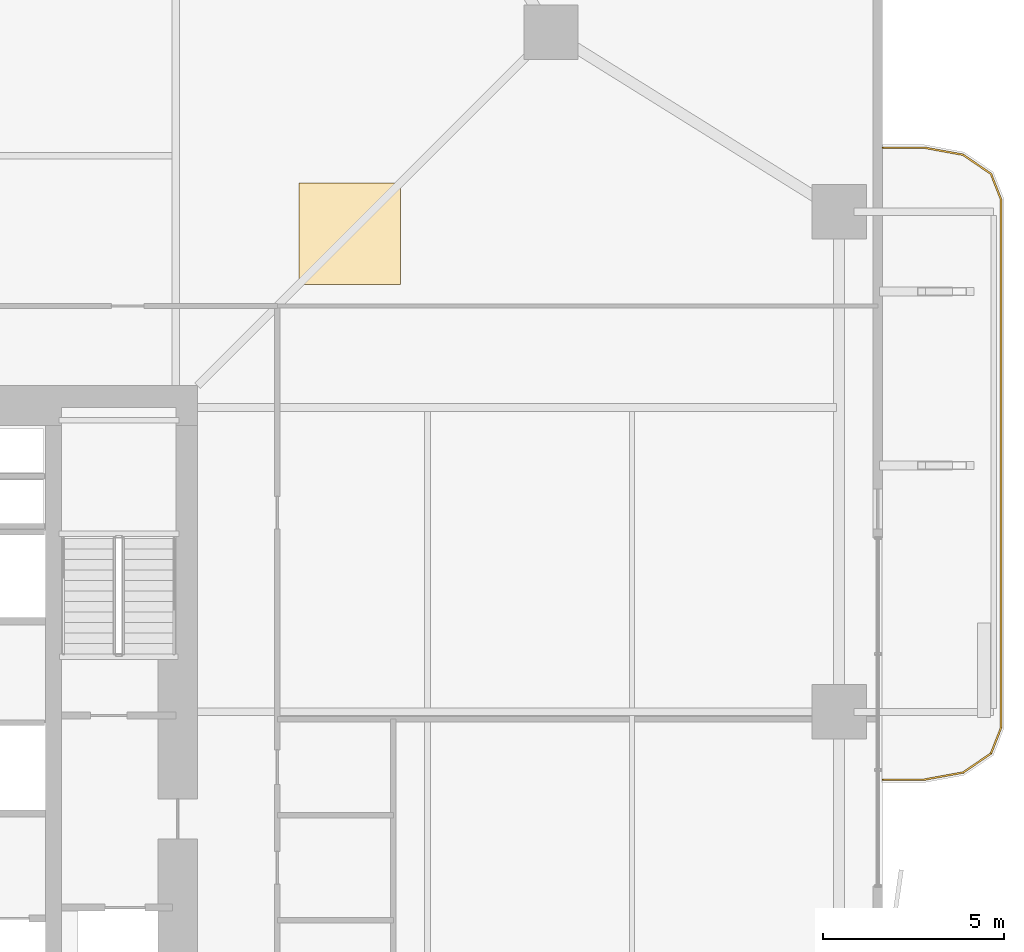
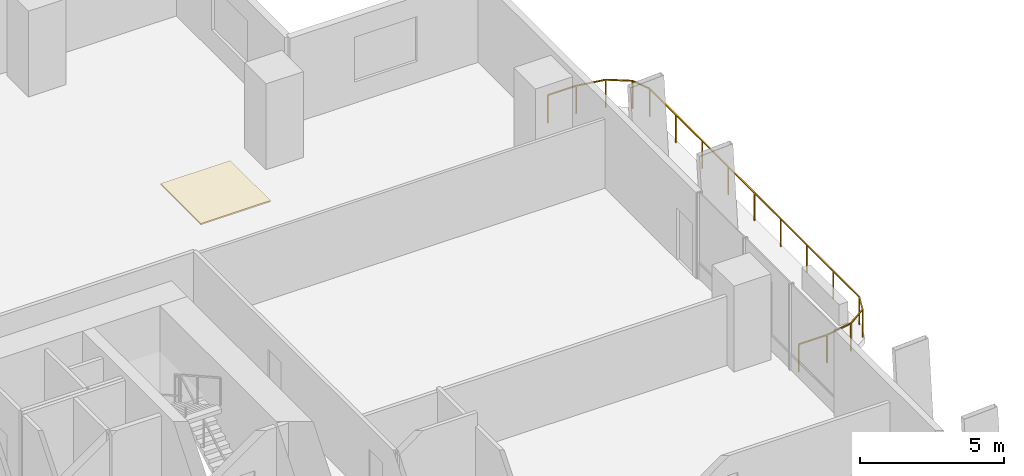
# One storey, part 24 of 24: 1 covering, 1 railing.
"""IFC4 building model written with IfcOpenShell, lengths in metres."""

from ifc_helpers import new_model, si_unit, direction, frame, origin, origin_2d, place, context, subcontext, project, spatial, polyline, rectangle, outline, extrude, material, layer, layer_set, type_object, element, save


model = new_model("IFC4")

# Units and contexts
model_context = context("Model", 3, precision=1e-05, world=origin(), true_north=direction((0.0, 1.0)))
body_context = subcontext(model_context, "Body", "Model", "MODEL_VIEW")
ifc_project = project(units=[si_unit("LENGTHUNIT", "METRE"), si_unit("AREAUNIT", "SQUARE_METRE"), si_unit("VOLUMEUNIT", "CUBIC_METRE"), si_unit("PLANEANGLEUNIT", "RADIAN"), si_unit("MASSUNIT", "GRAM", prefix="KILO")], contexts=[model_context])

# Site, building, storey
site_placement = place(None, origin())
site = spatial("IfcSite", under=ifc_project, at=site_placement, CompositionType="ELEMENT")
building_placement = place(site_placement, origin())
building = spatial("IfcBuilding", under=site, at=building_placement, Name="Belovzor Exchange Tower", CompositionType="ELEMENT")
storey_placement = place(building_placement, frame((0.0, 0.0, 61.199951171875)))
storey = spatial("IfcBuildingStorey", under=building, at=storey_placement, Name="L14", CompositionType="ELEMENT", Elevation=61.199951171875)

# Railing
ifc_material_1 = material(Name="Stainless Steel and Laminated Safety Glass", Category="steel")
railing_type = type_object("IfcRailingType", Name="Laminated Glass & Stainless Steel Balcony Balustrade 1200", PredefinedType="BALUSTRADE", material=ifc_material_1)
railing_placement = place(storey_placement, frame((56.7099609375, 26.929931640625, 0.0)))
element("IfcRailing", 1, at=railing_placement, inside=storey, type_object=railing_type, Name="GR-1 Balcony Balustrade L14 East", PredefinedType="BALUSTRADE", context=body_context, shape_type="SweptSolid", body=[
    extrude(rectangle(XDim=0.048095703125, YDim=0.048095703125, at=origin_2d()), frame((0.0, 0.0, 1.17578125), z_axis=(1.0, 0.0, 0.0), x_axis=(0.0, 1.0, 0.0)), (0.0, 0.0, 1.0), 1.133056640625),
    extrude(rectangle(XDim=0.048095703125, YDim=0.048095703125, at=origin_2d()), frame((1.133056640625, 0.0, 1.17578125), z_axis=(0.983644145941, 0.180122719713, 0.0), x_axis=(-0.180122719713, 0.983644145941, 0.0)), (0.0, 0.0, 1.0), 1.09375),
    extrude(rectangle(XDim=0.048095703125, YDim=0.048095703125, at=origin_2d()), frame((2.208984375, 0.197021484375, 1.17578125), z_axis=(0.826493025367, 0.56294695933, 0.0), x_axis=(-0.56294695933, 0.826493025367, 0.0)), (0.0, 0.0, 1.0), 0.932861328125),
    extrude(rectangle(XDim=0.048095703125, YDim=0.048095703125, at=origin_2d()), frame((2.97998046875, 0.72216796875, 1.17578125), z_axis=(0.365612923861, 0.930766990125, 0.0), x_axis=(-0.930766990125, 0.365612923861, 0.0)), (0.0, 0.0, 1.0), 0.765869140625),
    extrude(rectangle(XDim=0.048095703125, YDim=0.048095703125, at=origin_2d()), frame((3.260009765625, 1.43505859375, 1.17578125), z_axis=(0.0, 1.0, 0.0), x_axis=(-1.0, 0.0, 0.0)), (0.0, 0.0, 1.0), 14.570068359375),
    extrude(rectangle(XDim=0.048095703125, YDim=0.048095703125, at=origin_2d()), frame((3.260009765625, 16.005126953125, 1.17578125), z_axis=(-0.365612923861, 0.930766990125, 0.0), x_axis=(-0.930766990125, -0.365612923861, 0.0)), (0.0, 0.0, 1.0), 0.765869140625),
    extrude(rectangle(XDim=0.048095703125, YDim=0.048095703125, at=origin_2d()), frame((2.97998046875, 16.718017578125, 1.17578125), z_axis=(-0.826493025367, 0.56294695933, 0.0), x_axis=(-0.56294695933, -0.826493025367, 0.0)), (0.0, 0.0, 1.0), 0.932861328125),
    extrude(rectangle(XDim=0.048095703125, YDim=0.048095703125, at=origin_2d()), frame((2.208984375, 17.2431640625, 1.17578125), z_axis=(-0.983644145941, 0.180122719713, 0.0), x_axis=(-0.180122719713, -0.983644145941, 0.0)), (0.0, 0.0, 1.0), 1.09375),
    extrude(rectangle(XDim=0.048095703125, YDim=0.048095703125, at=origin_2d()), frame((1.133056640625, 17.440185546875, 1.17578125), z_axis=(-1.0, 0.0, 0.0), x_axis=(0.0, -1.0, 0.0)), (0.0, 0.0, 1.0), 1.133056640625),
    extrude(rectangle(XDim=0.0419921875, YDim=0.0419921875, at=origin_2d()), origin(), (0.0, 0.0, 1.0), 1.15185546875),
    extrude(rectangle(XDim=0.0419921875, YDim=0.0419921875, at=origin_2d()), frame((1.133056640625, 0.0, 0.0)), (0.0, 0.0, 1.0), 1.15185546875),
    extrude(rectangle(XDim=0.0419921875, YDim=0.0419921875, at=origin_2d()), frame((2.208984375, 0.197021484375, 0.0)), (0.0, 0.0, 1.0), 1.15185546875),
    extrude(rectangle(XDim=0.0419921875, YDim=0.0419921875, at=origin_2d()), frame((2.97998046875, 0.72216796875, 0.0)), (0.0, 0.0, 1.0), 1.15185546875),
    extrude(rectangle(XDim=0.0419921875, YDim=0.0419921875, at=origin_2d()), frame((3.260009765625, 1.43505859375, 0.0)), (0.0, 0.0, 1.0), 1.15185546875),
    extrude(rectangle(XDim=0.0419921875, YDim=0.0419921875, at=origin_2d()), frame((3.260009765625, 3.25634765625, 0.0)), (0.0, 0.0, 1.0), 1.15185546875),
    extrude(rectangle(XDim=0.0419921875, YDim=0.0419921875, at=origin_2d()), frame((3.260009765625, 5.07763671875, 0.0)), (0.0, 0.0, 1.0), 1.15185546875),
    extrude(rectangle(XDim=0.0419921875, YDim=0.0419921875, at=origin_2d()), frame((3.260009765625, 6.89892578125, 0.0)), (0.0, 0.0, 1.0), 1.15185546875),
    extrude(rectangle(XDim=0.0419921875, YDim=0.0419921875, at=origin_2d()), frame((3.260009765625, 8.72021484375, 0.0)), (0.0, 0.0, 1.0), 1.15185546875),
    extrude(rectangle(XDim=0.0419921875, YDim=0.0419921875, at=origin_2d()), frame((3.260009765625, 10.541259765625, 0.0)), (0.0, 0.0, 1.0), 1.15185546875),
    extrude(rectangle(XDim=0.0419921875, YDim=0.0419921875, at=origin_2d()), frame((3.260009765625, 12.362548828125, 0.0)), (0.0, 0.0, 1.0), 1.15185546875),
    extrude(rectangle(XDim=0.0419921875, YDim=0.0419921875, at=origin_2d()), frame((3.260009765625, 14.183837890625, 0.0)), (0.0, 0.0, 1.0), 1.15185546875),
    extrude(rectangle(XDim=0.0419921875, YDim=0.0419921875, at=origin_2d()), frame((3.260009765625, 16.005126953125, 0.0)), (0.0, 0.0, 1.0), 1.15185546875),
    extrude(rectangle(XDim=0.0419921875, YDim=0.0419921875, at=origin_2d()), frame((2.97998046875, 16.718017578125, 0.0)), (0.0, 0.0, 1.0), 1.15185546875),
    extrude(rectangle(XDim=0.0419921875, YDim=0.0419921875, at=origin_2d()), frame((2.208984375, 17.2431640625, 0.0)), (0.0, 0.0, 1.0), 1.15185546875),
    extrude(rectangle(XDim=0.0419921875, YDim=0.0419921875, at=origin_2d()), frame((1.133056640625, 17.440185546875, 0.0)), (0.0, 0.0, 1.0), 1.15185546875),
    extrude(rectangle(XDim=0.0419921875, YDim=0.0419921875, at=origin_2d()), frame((0.0, 17.440185546875, 0.0)), (0.0, 0.0, 1.0), 1.15185546875),
])

# Covering
ifc_material_2 = material(Name="Perforated Powder-Coated Aluminium", Category="aluminium")
ifc_layer = layer(ifc_material_2, 0.06005859375)
ifc_layer_set = layer_set([ifc_layer], Name="Perforated Powder-Coated Aluminium")
covering_type = type_object("IfcCoveringType", Name="Perforated Acoustic Metal Tile Suspended Ceiling 60", PredefinedType="CEILING", material=ifc_layer_set)
covering_placement = place(storey_placement, frame((0.0, 0.0, 3.590087890625)))
element("IfcCovering", 2, at=covering_placement, inside=storey, type_object=covering_type, Name="CLG-AC60 Suspended Ceiling CLG-L14-Z2", PredefinedType="CEILING", context=body_context, shape_type="SweptSolid", body=[
    extrude(outline(polyline([(40.60009765625, 40.60009765625), (43.39990234375, 40.60009765625), (43.39990234375, 43.39990234375), (40.60009765625, 43.39990234375), (40.60009765625, 40.60009765625)])), origin(), (0.0, 0.0, 1.0), 0.06005859375),
])

save(model, "model.ifc")
